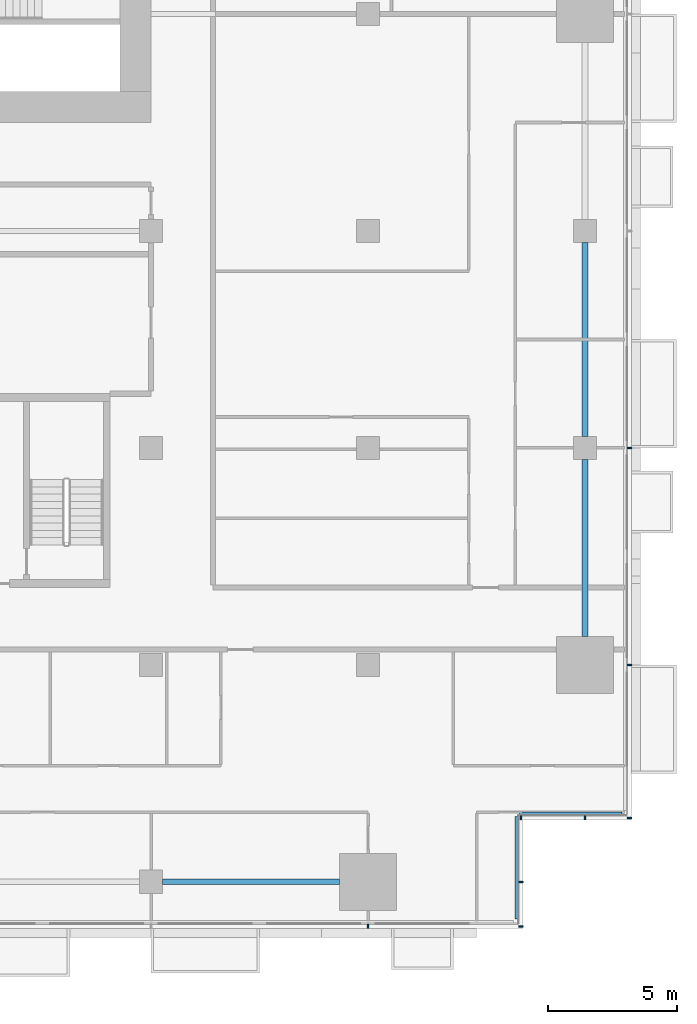
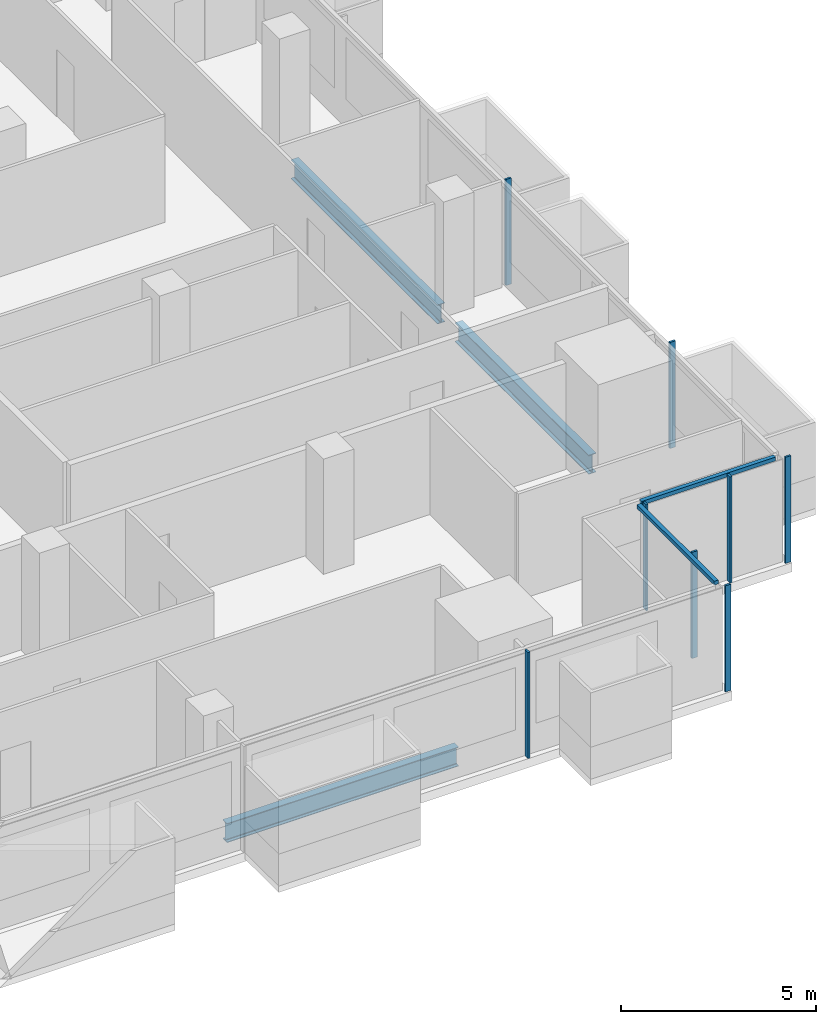
# One storey, part 11 of 30: 10 members, 3 beams, 4 elements without a shape of their own.
"""IFC4 building model written with IfcOpenShell, lengths in metres."""

from ifc_helpers import new_model, si_unit, direction, frame, origin, origin_2d, place, context, subcontext, project, spatial, rectangle, i_section, extrude, material, material_profile, profile_set, type_object, element, aggregate, save


model = new_model("IFC4")

# Units and contexts
model_context = context("Model", 3, precision=1e-05, world=origin(), true_north=direction((0.0, 1.0)))
body_context = subcontext(model_context, "Body", "Model", "MODEL_VIEW")
ifc_project = project(units=[si_unit("LENGTHUNIT", "METRE"), si_unit("AREAUNIT", "SQUARE_METRE"), si_unit("VOLUMEUNIT", "CUBIC_METRE"), si_unit("PLANEANGLEUNIT", "RADIAN"), si_unit("MASSUNIT", "GRAM", prefix="KILO")], contexts=[model_context])

# Site, building, storey
site_placement = place(None, origin())
site = spatial("IfcSite", under=ifc_project, at=site_placement, CompositionType="ELEMENT")
building_placement = place(site_placement, origin())
building = spatial("IfcBuilding", under=site, at=building_placement, Name="Saffron Gate Tower", CompositionType="ELEMENT")
storey_placement = place(building_placement, frame((0.0, 0.0, 37.199951171875)))
storey = spatial("IfcBuildingStorey", under=building, at=storey_placement, Name="L07", CompositionType="ELEMENT", Elevation=37.199951171875)

# Beams
ifc_material_1 = material(Name="Structural steel S355", Category="steel")
ifc_material_profile_1 = material_profile(ifc_material_1, i_section(OverallWidth=0.219970703125, OverallDepth=0.60009765625, WebThickness=0.011962890625, FlangeThickness=0.01904296875, FilletRadius=0.02392578125, at=origin_2d()))
ifc_profile_set_1 = profile_set([ifc_material_profile_1], Name="Structural steel S355")
beam_type = type_object("IfcBeamType", Name="B16 IPE 600", PredefinedType="SPANDREL", material=ifc_profile_set_1)
for number, where, z_axis, x_axis, name in (
    (1, (109.050048828125, 31.800048828125, -0.579833984375), (1.0, 0.0, 0.0), (0.0, 1.0, 0.0), "B16 SPANDREL BEAM"),
    (2, (125.39990234375, 41.300048828125, -0.579833984375), (0.0, 1.0, 0.0), (-1.0, 0.0, 0.0), "B16 SPANDREL BEAM"),
):
    element("IfcBeam", number, at=place(storey_placement, frame(where, z_axis=z_axis, x_axis=x_axis)), inside=storey, type_object=beam_type, Name=name, PredefinedType="SPANDREL", context=body_context, shape_type="SweptSolid", body=[
        extrude(i_section(OverallWidth=0.219970703125, OverallDepth=0.60009765625, WebThickness=0.011962890625, FlangeThickness=0.01904296875, FilletRadius=0.02392578125, at=origin_2d()), origin(), (0.0, 0.0, 1.0), 6.849853515625),
    ])
beam_placement = place(storey_placement, frame((125.39990234375, 49.050048828125, -0.579833984375), z_axis=(0.0, 1.0, 0.0), x_axis=(-1.0, 0.0, 0.0)))
element("IfcBeam", 3, at=beam_placement, inside=storey, type_object=beam_type, Name="B16 SPANDREL BEAM", PredefinedType="SPANDREL", context=body_context, shape_type="SweptSolid", body=[
    extrude(i_section(OverallWidth=0.219970703125, OverallDepth=0.60009765625, WebThickness=0.011962890625, FlangeThickness=0.01904296875, FilletRadius=0.02392578125, at=origin_2d()), origin(), (0.0, 0.0, 1.0), 7.5),
])

# Curtain wall, member
ifc_material_2 = material(Name="Aluminium, bronze anodised", Category="aluminium")
curtain_wall_type_1 = type_object("IfcCurtainWallType", Name="CWS1 curtain wall front facade", PredefinedType="NOTDEFINED", material=ifc_material_2)
curtain_wall_1_placement = place(storey_placement, origin())
curtain_wall_1 = element("IfcCurtainWall", 4, at=curtain_wall_1_placement, inside=storey, type_object=curtain_wall_type_1, Name="CWS1 run 1", PredefinedType="NOTDEFINED")
ifc_material_profile_2 = material_profile(ifc_material_2, rectangle(XDim=0.159912109375, YDim=0.06005859375, at=origin_2d()))
ifc_profile_set_2 = profile_set([ifc_material_profile_2], Name="Aluminium, bronze anodised")
member_type_1 = type_object("IfcMemberType", Name="CWS1 mullion 60x160", PredefinedType="MULLION", material=ifc_profile_set_2)
member_1_placement = place(storey_placement, frame((117.0, 30.080078125, 0.0), z_axis=(0.0, 0.0, 1.0), x_axis=(0.0, 1.0, 0.0)))
member_1 = element("IfcMember", 5, at=member_1_placement, type_object=member_type_1, Name="CWS1 mullion 9", PredefinedType="MULLION", context=body_context, shape_type="SweptSolid", body=[
    extrude(rectangle(XDim=0.159912109375, YDim=0.06005859375, at=origin_2d()), origin(), (0.0, 0.0, 1.0), 3.320068359375),
])
aggregate(curtain_wall_1, [member_1])

# Curtain wall, members
curtain_wall_type_2 = type_object("IfcCurtainWallType", Name="CWS2 curtain wall side facades", PredefinedType="NOTDEFINED", material=ifc_material_2)
curtain_wall_2_placement = place(storey_placement, origin())
curtain_wall_2 = element("IfcCurtainWall", 6, at=curtain_wall_2_placement, inside=storey, type_object=curtain_wall_type_2, Name="CWS2 run 4", PredefinedType="NOTDEFINED")
ifc_material_profile_3 = material_profile(ifc_material_2, rectangle(XDim=0.159912109375, YDim=0.06005859375, at=origin_2d()))
ifc_profile_set_3 = profile_set([ifc_material_profile_3], Name="Aluminium, bronze anodised")
member_type_2 = type_object("IfcMemberType", Name="CWS2 mullion 60x160", PredefinedType="MULLION", material=ifc_profile_set_3)
member_2_placement = place(storey_placement, frame((127.1201171875, 34.280029296875, 0.0), z_axis=(0.0, 0.0, 1.0), x_axis=(-1.0, 0.0, 0.0)))
member_2 = element("IfcMember", 7, at=member_2_placement, type_object=member_type_2, Name="CWS2 mullion 1", PredefinedType="MULLION", context=body_context, shape_type="SweptSolid", body=[
    extrude(rectangle(XDim=0.159912109375, YDim=0.06005859375, at=origin_2d()), origin(), (0.0, 0.0, 1.0), 3.320068359375),
])
member_3_placement = place(storey_placement, frame((127.1201171875, 40.199951171875, 0.0), z_axis=(0.0, 0.0, 1.0), x_axis=(-1.0, 0.0, 0.0)))
member_3 = element("IfcMember", 8, at=member_3_placement, type_object=member_type_2, Name="CWS2 mullion 2", PredefinedType="MULLION", context=body_context, shape_type="SweptSolid", body=[
    extrude(rectangle(XDim=0.159912109375, YDim=0.06005859375, at=origin_2d()), origin(), (0.0, 0.0, 1.0), 3.320068359375),
])
member_4_placement = place(storey_placement, frame((127.1201171875, 48.60009765625, 0.0), z_axis=(0.0, 0.0, 1.0), x_axis=(-1.0, 0.0, 0.0)))
member_4 = element("IfcMember", 9, at=member_4_placement, type_object=member_type_2, Name="CWS2 mullion 3", PredefinedType="MULLION", context=body_context, shape_type="SweptSolid", body=[
    extrude(rectangle(XDim=0.159912109375, YDim=0.06005859375, at=origin_2d()), origin(), (0.0, 0.0, 1.0), 3.320068359375),
])
aggregate(curtain_wall_2, [member_2, member_3, member_4])

# Curtain wall, member
curtain_wall_type_3 = type_object("IfcCurtainWallType", Name="CWS4 curtain wall corner returns", PredefinedType="NOTDEFINED", material=ifc_material_2)
curtain_wall_3_placement = place(storey_placement, origin())
curtain_wall_3 = element("IfcCurtainWall", 10, at=curtain_wall_3_placement, inside=storey, type_object=curtain_wall_type_3, Name="CWS4 run 2", PredefinedType="NOTDEFINED")
ifc_material_profile_4 = material_profile(ifc_material_2, rectangle(XDim=0.1201171875, YDim=0.1201171875, at=origin_2d()))
ifc_profile_set_4 = profile_set([ifc_material_profile_4], Name="Aluminium, bronze anodised")
member_type_3 = type_object("IfcMemberType", Name="CWS4 head transom", PredefinedType="USERDEFINED", material=ifc_profile_set_4)
member_5_placement = place(storey_placement, frame((122.751953125, 30.367919921875, 3.260009765625), z_axis=(0.0, 1.0, 0.0), x_axis=(-1.0, 0.0, 0.0)))
member_5 = element("IfcMember", 11, at=member_5_placement, type_object=member_type_3, Name="CWS4 head transom", ObjectType="TRANSOM", PredefinedType="USERDEFINED", context=body_context, shape_type="SweptSolid", body=[
    extrude(rectangle(XDim=0.1201171875, YDim=0.1201171875, at=origin_2d()), origin(), (0.0, 0.0, 1.0), 3.9599609375),
])

curtain_wall_4_placement = place(storey_placement, origin())
curtain_wall_4 = element("IfcCurtainWall", 12, at=curtain_wall_4_placement, inside=storey, type_object=curtain_wall_type_3, Name="CWS4 run 3", PredefinedType="NOTDEFINED")
member_6_placement = place(storey_placement, frame((122.8720703125, 34.447998046875, 3.260009765625), z_axis=(1.0, 0.0, 0.0), x_axis=(0.0, 1.0, 0.0)))
member_6 = element("IfcMember", 13, at=member_6_placement, type_object=member_type_3, Name="CWS4 head transom", ObjectType="TRANSOM", PredefinedType="USERDEFINED", context=body_context, shape_type="SweptSolid", body=[
    extrude(rectangle(XDim=0.1201171875, YDim=0.1201171875, at=origin_2d()), origin(), (0.0, 0.0, 1.0), 3.9599609375),
])

# Member
ifc_material_profile_5 = material_profile(ifc_material_2, rectangle(XDim=0.159912109375, YDim=0.06005859375, at=origin_2d()))
ifc_profile_set_5 = profile_set([ifc_material_profile_5], Name="Aluminium, bronze anodised")
member_type_4 = type_object("IfcMemberType", Name="CWS4 mullion 60x160", PredefinedType="MULLION", material=ifc_profile_set_5)
member_7_placement = place(storey_placement, frame((122.919921875, 30.080078125, 0.0), z_axis=(0.0, 0.0, 1.0), x_axis=(-1.0, 0.0, 0.0)))
member_7 = element("IfcMember", 14, at=member_7_placement, type_object=member_type_4, Name="CWS4 mullion 1", PredefinedType="MULLION", context=body_context, shape_type="SweptSolid", body=[
    extrude(rectangle(XDim=0.159912109375, YDim=0.06005859375, at=origin_2d()), origin(), (0.0, 0.0, 1.0), 3.320068359375),
])

member_8_placement = place(storey_placement, frame((122.919921875, 31.800048828125, 0.0), z_axis=(0.0, 0.0, 1.0), x_axis=(-1.0, 0.0, 0.0)))
member_8 = element("IfcMember", 15, at=member_8_placement, type_object=member_type_4, Name="CWS4 mullion 2", PredefinedType="MULLION", context=body_context, shape_type="SweptSolid", body=[
    extrude(rectangle(XDim=0.159912109375, YDim=0.06005859375, at=origin_2d()), origin(), (0.0, 0.0, 1.0), 3.320068359375),
])

aggregate(curtain_wall_3, [member_7, member_8, member_5])

member_9_placement = place(storey_placement, frame((122.919921875, 34.280029296875, 0.0), z_axis=(0.0, 0.0, 1.0), x_axis=(0.0, 1.0, 0.0)))
member_9 = element("IfcMember", 16, at=member_9_placement, type_object=member_type_4, Name="CWS4 mullion 1", PredefinedType="MULLION", context=body_context, shape_type="SweptSolid", body=[
    extrude(rectangle(XDim=0.159912109375, YDim=0.06005859375, at=origin_2d()), origin(), (0.0, 0.0, 1.0), 3.320068359375),
])

member_10_placement = place(storey_placement, frame((125.39990234375, 34.280029296875, 0.0), z_axis=(0.0, 0.0, 1.0), x_axis=(0.0, 1.0, 0.0)))
member_10 = element("IfcMember", 17, at=member_10_placement, type_object=member_type_4, Name="CWS4 mullion 2", PredefinedType="MULLION", context=body_context, shape_type="SweptSolid", body=[
    extrude(rectangle(XDim=0.159912109375, YDim=0.06005859375, at=origin_2d()), origin(), (0.0, 0.0, 1.0), 3.320068359375),
])

aggregate(curtain_wall_4, [member_9, member_10, member_6])

save(model, "model.ifc")
